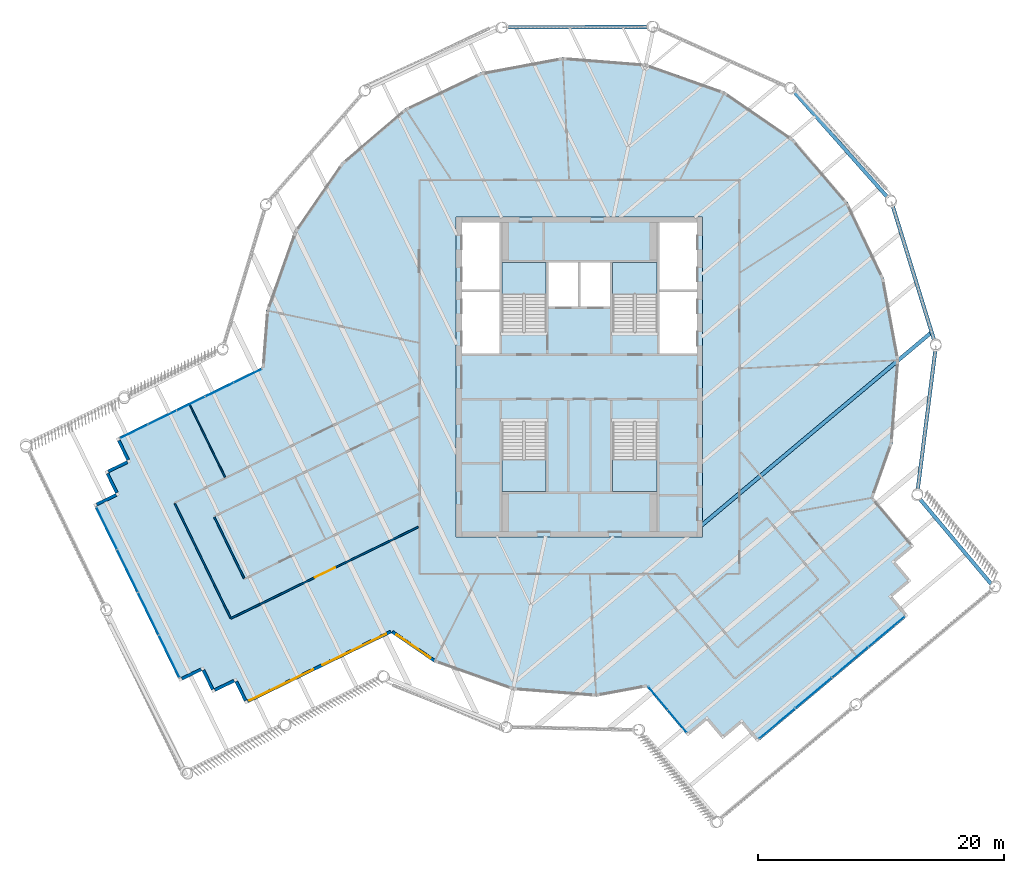
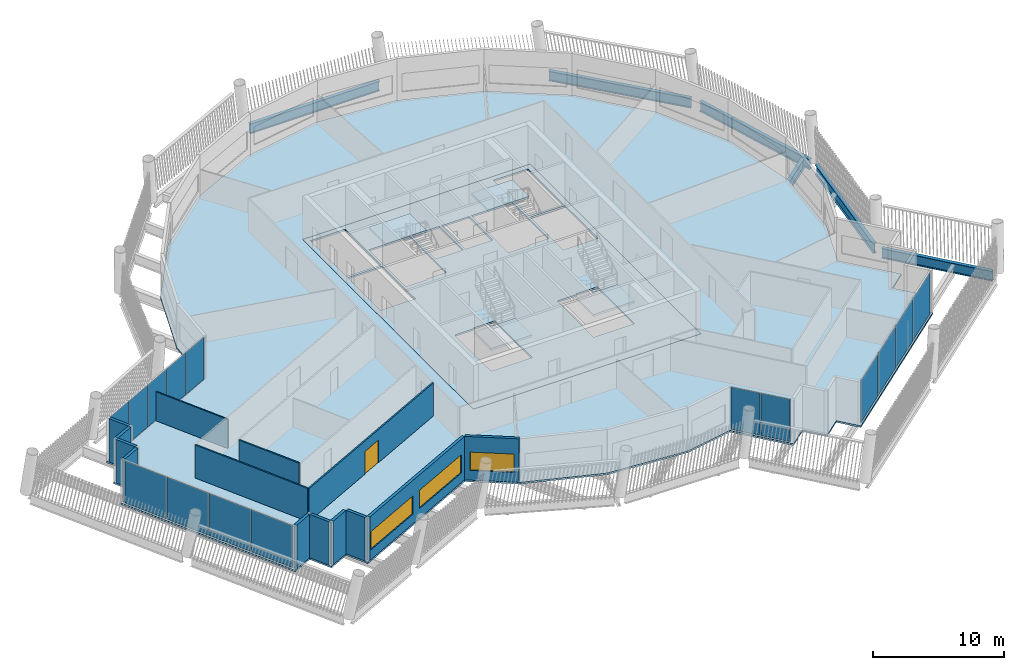
# One storey, part 19 of 31: 15 plates, 14 walls, 6 beams, 6 slabs, 3 windows, 1 door, 4 openings, 8 elements without a shape of their own.
"""IFC4 building model written with IfcOpenShell, lengths in metres."""

from ifc_helpers import new_model, si_unit, direction, frame, frame_2d, origin, origin_2d, place, context, subcontext, project, spatial, polyline, rectangle, i_section, outline, extrude, material, layer, layer_set, material_profile, profile_set, type_object, element, fill, aggregate, save


model = new_model("IFC4")

# Units and contexts
model_context = context("Model", 3, precision=1e-05, world=origin(), true_north=direction((0.0, 1.0)))
body_context = subcontext(model_context, "Body", "Model", "MODEL_VIEW")
ifc_project = project(units=[si_unit("LENGTHUNIT", "METRE"), si_unit("AREAUNIT", "SQUARE_METRE"), si_unit("VOLUMEUNIT", "CUBIC_METRE"), si_unit("PLANEANGLEUNIT", "RADIAN"), si_unit("MASSUNIT", "GRAM", prefix="KILO")], contexts=[model_context])

# Site, building, storey
site_placement = place(None, origin())
site = spatial("IfcSite", under=ifc_project, at=site_placement, CompositionType="ELEMENT")
building_placement = place(site_placement, origin())
building = spatial("IfcBuilding", under=site, at=building_placement, Name="Tarsis Ring Headquarters", CompositionType="ELEMENT")
storey_placement = place(building_placement, frame((0.0, 0.0, 390.199951171875)))
storey = spatial("IfcBuildingStorey", under=building, at=storey_placement, Name="L92", CompositionType="ELEMENT", Elevation=390.199951171875)

# Beams
ifc_material_1 = material(Name="Structural steel S355", Category="steel")
ifc_material_profile_1 = material_profile(ifc_material_1, i_section(OverallWidth=0.309814453125, OverallDepth=0.93212890625, WebThickness=0.02099609375, FlangeThickness=0.034423828125, at=origin_2d()), Name="W36x210")
ifc_profile_set_1 = profile_set([ifc_material_profile_1], Name="Structural steel S355")
beam_type_1 = type_object("IfcBeamType", Name="FB Floor beam W36x210", PredefinedType="JOIST", material=ifc_profile_set_1)
beam_1_placement = place(storey_placement, frame((9.92333984375, -12.03759765625, -0.6259765625), z_axis=(0.766048605263, 0.642782649404, 0.0), x_axis=(-0.642782649404, 0.766048605263, 0.0)))
element("IfcBeam", 1, at=beam_1_placement, inside=storey, type_object=beam_type_1, Name="Floor beam FB10", PredefinedType="JOIST", context=body_context, shape_type="SweptSolid", body=[
    extrude(i_section(OverallWidth=0.309814453125, OverallDepth=0.93212890625, WebThickness=0.02099609375, FlangeThickness=0.034423828125, at=origin_2d()), origin(), (0.0, 0.0, 1.0), 24.309814453125),
])
ifc_material_profile_2 = material_profile(ifc_material_1, i_section(OverallWidth=0.3046875, OverallDepth=0.91943359375, WebThickness=0.017333984375, FlangeThickness=0.02783203125, at=origin_2d()), Name="W36x170")
ifc_profile_set_2 = profile_set([ifc_material_profile_2], Name="Structural steel S355")
beam_type_2 = type_object("IfcBeamType", Name="XG Ring girder W36x170", PredefinedType="BEAM", material=ifc_profile_set_2)
beam_2_placement = place(storey_placement, frame((33.44189453125, -16.829833984375, -0.459716796875), z_axis=(-0.642792926225, 0.766039981982, 0.0), x_axis=(-0.766039981982, -0.642792926225, 0.0)))
element("IfcBeam", 2, at=beam_2_placement, inside=storey, type_object=beam_type_2, Name="Ring girder XG4", PredefinedType="BEAM", context=body_context, shape_type="SweptSolid", body=[
    extrude(i_section(OverallWidth=0.3046875, OverallDepth=0.91943359375, WebThickness=0.017333984375, FlangeThickness=0.02783203125, at=origin_2d()), origin(), (0.0, 0.0, 1.0), 8.9814453125),
])
for number, where, z_axis, x_axis, name in (
    (3, (27.455810546875, -9.22607421875, -0.459716796875), (0.125320627657, 0.99211629373, 0.0), (-0.99211629373, 0.125320627657, 0.0), "Ring girder XG4"),
    (4, (28.81787109375, 2.9111328125, -0.459716796875), (-0.294762947586, 0.955570408045, 0.0), (-0.955570408045, -0.294762947586, 0.0), "Ring girder XG4"),
    (5, (25.055908203125, 14.53076171875, -0.459716796875), (-0.662433253291, 0.74912094146, 0.0), (-0.74912094146, -0.662433253291, 0.0), "Ring girder XG4"),
    (6, (5.6279296875, 28.41259765625, -0.459716796875), (-0.999995525635, -0.002991439607, 0.0), (0.002991439607, -0.999995525635, 0.0), "Ring girder XG4"),
):
    element("IfcBeam", number, at=place(storey_placement, frame(where, z_axis=z_axis, x_axis=x_axis)), inside=storey, type_object=beam_type_2, Name=name, PredefinedType="BEAM", context=body_context, shape_type="SweptSolid", body=[
        extrude(i_section(OverallWidth=0.3046875, OverallDepth=0.91943359375, WebThickness=0.017333984375, FlangeThickness=0.02783203125, at=origin_2d()), origin(), (0.0, 0.0, 1.0), 11.42578125),
    ])

# Slab
ifc_material_2 = material(Name="Concrete C40/50", Category="concrete")
ifc_layer_1 = layer(ifc_material_2, 0.159912109375)
ifc_layer_set_1 = layer_set([ifc_layer_1], Name="Core floor slab 160 C40/50")
slab_type_1 = type_object("IfcSlabType", Name="Core floor slab 160 C40/50", PredefinedType="FLOOR", material=ifc_layer_set_1)
slab_1_placement = place(storey_placement, frame((0.0, 0.0, -0.159912109375)))
element("IfcSlab", 7, at=slab_1_placement, inside=storey, type_object=slab_type_1, Name="L92 core floor slab", PredefinedType="FLOOR", context=body_context, shape_type="SweptSolid", body=[
    extrude(outline(polyline([(-10.0, -13.0), (10.0, -13.0), (10.0, 13.0), (-10.0, 13.0), (-10.0, -13.0)]), holes=[polyline([(-2.5, 5.699951171875), (-0.10009765625, 5.699951171875), (-0.10009765625, 9.300048828125), (-2.5, 9.300048828125), (-2.5, 5.699951171875)]), polyline([(0.10009765625, 5.699951171875), (2.5, 5.699951171875), (2.5, 9.300048828125), (0.10009765625, 9.300048828125), (0.10009765625, 5.699951171875)]), polyline([(-9.550048828125, 1.89990234375), (-6.5, 1.89990234375), (-6.5, 6.89990234375), (-9.550048828125, 6.89990234375), (-9.550048828125, 1.89990234375)]), polyline([(-9.550048828125, 7.10009765625), (-6.5, 7.10009765625), (-6.5, 12.550048828125), (-9.550048828125, 12.550048828125), (-9.550048828125, 7.10009765625)]), polyline([(6.5, 1.89990234375), (9.550048828125, 1.89990234375), (9.550048828125, 6.89990234375), (6.5, 6.89990234375), (6.5, 1.89990234375)]), polyline([(6.5, 7.10009765625), (9.550048828125, 7.10009765625), (9.550048828125, 12.550048828125), (6.5, 12.550048828125), (6.5, 7.10009765625)]), polyline([(-2.699951171875, 3.760009765625), (-2.699951171875, 9.300048828125), (-6.300048828125, 9.300048828125), (-6.300048828125, 3.659912109375), (-4.4599609375, 3.659912109375), (-4.4599609375, 3.760009765625), (-2.699951171875, 3.760009765625)]), polyline([(6.300048828125, 3.760009765625), (6.300048828125, 9.300048828125), (2.699951171875, 9.300048828125), (2.699951171875, 3.659912109375), (4.5400390625, 3.659912109375), (4.5400390625, 3.760009765625), (6.300048828125, 3.760009765625)]), polyline([(-6.300048828125, -3.760009765625), (-6.300048828125, -9.300048828125), (-2.699951171875, -9.300048828125), (-2.699951171875, -3.659912109375), (-4.5400390625, -3.659912109375), (-4.5400390625, -3.760009765625), (-6.300048828125, -3.760009765625)]), polyline([(2.699951171875, -3.760009765625), (2.699951171875, -9.300048828125), (6.300048828125, -9.300048828125), (6.300048828125, -3.659912109375), (4.4599609375, -3.659912109375), (4.4599609375, -3.760009765625), (2.699951171875, -3.760009765625)])]), origin(), (0.0, 0.0, 1.0), 0.159912109375),
])

# Stair, slab
ifc_material_3 = material(Name="Core stair 1760")
stair_type = type_object("IfcStairType", Name="Core stair 1760", PredefinedType="HALF_TURN_STAIR", material=ifc_material_3)
stair_1_placement = place(storey_placement, origin())
stair_1 = element("IfcStair", 8, at=stair_1_placement, inside=storey, type_object=stair_type, Name="L92 Firefighting stair", PredefinedType="HALF_TURN_STAIR")
ifc_layer_2 = layer(ifc_material_2, 0.199951171875)
ifc_layer_set_2 = layer_set([ifc_layer_2], Name="Core stair landing 200")
slab_type_2 = type_object("IfcSlabType", Name="Core stair landing 200", PredefinedType="LANDING", material=ifc_layer_set_2)
slab_2_placement = place(storey_placement, frame((0.0, 0.0, 1.900146484375)))
slab_2 = element("IfcSlab", 9, at=slab_2_placement, type_object=slab_type_2, Name="Stair ST1 landing 1", PredefinedType="LANDING", context=body_context, shape_type="SweptSolid", body=[
    extrude(outline(polyline([(-2.699951171875, 6.739990234375), (-2.699951171875, 9.300048828125), (-6.300048828125, 9.300048828125), (-6.300048828125, 6.739990234375), (-2.699951171875, 6.739990234375)])), origin(), (0.0, 0.0, 1.0), 0.199951171875),
])
aggregate(stair_1, [slab_2])

stair_2_placement = place(storey_placement, origin())
stair_2 = element("IfcStair", 10, at=stair_2_placement, inside=storey, type_object=stair_type, Name="L92 Exit stair B", PredefinedType="HALF_TURN_STAIR")
slab_3_placement = place(storey_placement, frame((0.0, 0.0, 1.900146484375)))
slab_3 = element("IfcSlab", 11, at=slab_3_placement, type_object=slab_type_2, Name="Stair ST2 landing 1", PredefinedType="LANDING", context=body_context, shape_type="SweptSolid", body=[
    extrude(outline(polyline([(6.300048828125, 6.739990234375), (6.300048828125, 9.300048828125), (2.699951171875, 9.300048828125), (2.699951171875, 6.739990234375), (6.300048828125, 6.739990234375)])), origin(), (0.0, 0.0, 1.0), 0.199951171875),
])
aggregate(stair_2, [slab_3])

stair_3_placement = place(storey_placement, origin())
stair_3 = element("IfcStair", 12, at=stair_3_placement, inside=storey, type_object=stair_type, Name="L92 Exit stair C", PredefinedType="HALF_TURN_STAIR")
slab_4_placement = place(storey_placement, frame((0.0, 0.0, 1.900146484375)))
slab_4 = element("IfcSlab", 13, at=slab_4_placement, type_object=slab_type_2, Name="Stair ST3 landing 1", PredefinedType="LANDING", context=body_context, shape_type="SweptSolid", body=[
    extrude(outline(polyline([(-6.300048828125, -6.739990234375), (-6.300048828125, -9.300048828125), (-2.699951171875, -9.300048828125), (-2.699951171875, -6.739990234375), (-6.300048828125, -6.739990234375)])), origin(), (0.0, 0.0, 1.0), 0.199951171875),
])
aggregate(stair_3, [slab_4])

stair_4_placement = place(storey_placement, origin())
stair_4 = element("IfcStair", 14, at=stair_4_placement, inside=storey, type_object=stair_type, Name="L92 Exit stair D", PredefinedType="HALF_TURN_STAIR")
slab_5_placement = place(storey_placement, frame((0.0, 0.0, 1.900146484375)))
slab_5 = element("IfcSlab", 15, at=slab_5_placement, type_object=slab_type_2, Name="Stair ST4 landing 1", PredefinedType="LANDING", context=body_context, shape_type="SweptSolid", body=[
    extrude(outline(polyline([(2.699951171875, -6.739990234375), (2.699951171875, -9.300048828125), (6.300048828125, -9.300048828125), (6.300048828125, -6.739990234375), (2.699951171875, -6.739990234375)])), origin(), (0.0, 0.0, 1.0), 0.199951171875),
])
aggregate(stair_4, [slab_5])

# Curtain wall, plates
ifc_material_4 = material(Name="Aluminium curtain wall", Category="aluminium")
ifc_layer_3 = layer(ifc_material_4, 0.199951171875)
ifc_layer_set_3 = layer_set([ifc_layer_3], Name="Curtain wall executive tip")
curtain_wall_type_1 = type_object("IfcCurtainWallType", Name="Curtain wall executive tip", PredefinedType="NOTDEFINED", material=ifc_layer_set_3)
curtain_wall_1_placement = place(storey_placement, origin())
curtain_wall_1 = element("IfcCurtainWall", 16, at=curtain_wall_1_placement, inside=storey, type_object=curtain_wall_type_1, Name="Curtain wall L92-11", PredefinedType="NOTDEFINED")
ifc_material_5 = material(Name="Clear double glazing", Category="glass")
ifc_layer_4 = layer(ifc_material_5, 0.028076171875)
ifc_layer_set_4 = layer_set([ifc_layer_4], Name="Curtain wall glass panel executive tip")
plate_type_1 = type_object("IfcPlateType", Name="Curtain wall glass panel executive tip", PredefinedType="CURTAIN_PANEL", material=ifc_layer_set_4)
plate_1_placement = place(storey_placement, frame((16.049560546875, -28.142578125, 0.070068359375), z_axis=(0.0, 0.0, 1.0), x_axis=(0.766044386621, 0.642787677018, 0.0)))
plate_1 = element("IfcPlate", 17, at=plate_1_placement, type_object=plate_type_1, Name="CW-E panel 1.1", PredefinedType="CURTAIN_PANEL", context=body_context, shape_type="SweptSolid", body=[
    extrude(rectangle(XDim=3.77001953125, YDim=0.028076171875, at=origin_2d()), origin(), (0.0, 0.0, 1.0), 3.89990234375),
])
plate_2_placement = place(storey_placement, frame((19.004638671875, -25.6630859375, 0.070068359375), z_axis=(0.0, 0.0, 1.0), x_axis=(0.766044386621, 0.642787677018, 0.0)))
plate_2 = element("IfcPlate", 18, at=plate_2_placement, type_object=plate_type_1, Name="CW-E panel 2.1", PredefinedType="CURTAIN_PANEL", context=body_context, shape_type="SweptSolid", body=[
    extrude(rectangle(XDim=3.804931640625, YDim=0.028076171875, at=origin_2d()), origin(), (0.0, 0.0, 1.0), 3.89990234375),
])
plate_3_placement = place(storey_placement, frame((21.97314453125, -23.17236328125, 0.070068359375), z_axis=(0.0, 0.0, 1.0), x_axis=(0.766044386621, 0.642787677018, 0.0)))
plate_3 = element("IfcPlate", 19, at=plate_3_placement, type_object=plate_type_1, Name="CW-E panel 3.1", PredefinedType="CURTAIN_PANEL", context=body_context, shape_type="SweptSolid", body=[
    extrude(rectangle(XDim=3.804931640625, YDim=0.028076171875, at=origin_2d()), origin(), (0.0, 0.0, 1.0), 3.89990234375),
])
plate_4_placement = place(storey_placement, frame((24.927978515625, -20.692626953125, 0.070068359375), z_axis=(0.0, 0.0, 1.0), x_axis=(0.766044386621, 0.642787677018, 0.0)))
plate_4 = element("IfcPlate", 20, at=plate_4_placement, type_object=plate_type_1, Name="CW-E panel 4.1", PredefinedType="CURTAIN_PANEL", context=body_context, shape_type="SweptSolid", body=[
    extrude(rectangle(XDim=3.77001953125, YDim=0.028076171875, at=origin_2d()), origin(), (0.0, 0.0, 1.0), 3.89990234375),
])
aggregate(curtain_wall_1, [plate_1, plate_2, plate_3, plate_4])

curtain_wall_2_placement = place(storey_placement, origin())
curtain_wall_2 = element("IfcCurtainWall", 21, at=curtain_wall_2_placement, inside=storey, type_object=curtain_wall_type_1, Name="Curtain wall L92-36", PredefinedType="NOTDEFINED")
plate_5_placement = place(storey_placement, frame((-38.3798828125, -12.271484375, 0.070068359375), z_axis=(0.0, 0.0, 1.0), x_axis=(0.438371176751, -0.898794031686, 0.0)))
plate_5 = element("IfcPlate", 22, at=plate_5_placement, type_object=plate_type_1, Name="CW-E panel 1.1", PredefinedType="CURTAIN_PANEL", context=body_context, shape_type="SweptSolid", body=[
    extrude(rectangle(XDim=3.77001953125, YDim=0.028076171875, at=origin_2d()), origin(), (0.0, 0.0, 1.0), 3.89990234375),
])
plate_6_placement = place(storey_placement, frame((-36.688720703125, -15.738525390625, 0.070068359375), z_axis=(0.0, 0.0, 1.0), x_axis=(0.438371176751, -0.898794031686, 0.0)))
plate_6 = element("IfcPlate", 23, at=plate_6_placement, type_object=plate_type_1, Name="CW-E panel 2.1", PredefinedType="CURTAIN_PANEL", context=body_context, shape_type="SweptSolid", body=[
    extrude(rectangle(XDim=3.804931640625, YDim=0.028076171875, at=origin_2d()), origin(), (0.0, 0.0, 1.0), 3.89990234375),
])
plate_7_placement = place(storey_placement, frame((-34.989990234375, -19.221435546875, 0.070068359375), z_axis=(0.0, 0.0, 1.0), x_axis=(0.438371176751, -0.898794031686, 0.0)))
plate_7 = element("IfcPlate", 24, at=plate_7_placement, type_object=plate_type_1, Name="CW-E panel 3.1", PredefinedType="CURTAIN_PANEL", context=body_context, shape_type="SweptSolid", body=[
    extrude(rectangle(XDim=3.804931640625, YDim=0.028076171875, at=origin_2d()), origin(), (0.0, 0.0, 1.0), 3.89990234375),
])
plate_8_placement = place(storey_placement, frame((-33.299072265625, -22.6884765625, 0.070068359375), z_axis=(0.0, 0.0, 1.0), x_axis=(0.438371176751, -0.898794031686, 0.0)))
plate_8 = element("IfcPlate", 25, at=plate_8_placement, type_object=plate_type_1, Name="CW-E panel 4.1", PredefinedType="CURTAIN_PANEL", context=body_context, shape_type="SweptSolid", body=[
    extrude(rectangle(XDim=3.77001953125, YDim=0.028076171875, at=origin_2d()), origin(), (0.0, 0.0, 1.0), 3.89990234375),
])
aggregate(curtain_wall_2, [plate_5, plate_6, plate_7, plate_8])

ifc_layer_5 = layer(ifc_material_4, 0.14990234375)
ifc_layer_set_5 = layer_set([ifc_layer_5], Name="Curtain wall tower unit")
curtain_wall_type_2 = type_object("IfcCurtainWallType", Name="Curtain wall tower unit", PredefinedType="NOTDEFINED", material=ifc_layer_set_5)
curtain_wall_3_placement = place(storey_placement, origin())
curtain_wall_3 = element("IfcCurtainWall", 26, at=curtain_wall_3_placement, inside=storey, type_object=curtain_wall_type_2, Name="Curtain wall L92-06", PredefinedType="NOTDEFINED")
ifc_layer_6 = layer(ifc_material_5, 0.028076171875)
ifc_layer_set_6 = layer_set([ifc_layer_6], Name="Curtain wall glass panel tower unit")
plate_type_2 = type_object("IfcPlateType", Name="Curtain wall glass panel tower unit", PredefinedType="CURTAIN_PANEL", material=ifc_layer_set_6)
plate_9_placement = place(storey_placement, frame((6.37744140625, -26.074462890625, 0.06005859375), z_axis=(0.0, 0.0, 1.0), x_axis=(0.642787653808, -0.766044406097, 0.0)))
plate_9 = element("IfcPlate", 27, at=plate_9_placement, type_object=plate_type_2, Name="CW-T panel 1.1", PredefinedType="CURTAIN_PANEL", context=body_context, shape_type="SweptSolid", body=[
    extrude(rectangle(XDim=2.37109375, YDim=0.028076171875, at=origin_2d()), origin(), (0.0, 0.0, 1.0), 3.919921875),
])
plate_10_placement = place(storey_placement, frame((7.93994140625, -27.936767578125, 0.06005859375), z_axis=(0.0, 0.0, 1.0), x_axis=(0.642787653808, -0.766044406097, 0.0)))
plate_10 = element("IfcPlate", 28, at=plate_10_placement, type_object=plate_type_2, Name="CW-T panel 2.1", PredefinedType="CURTAIN_PANEL", context=body_context, shape_type="SweptSolid", body=[
    extrude(rectangle(XDim=2.37109375, YDim=0.028076171875, at=origin_2d()), origin(), (0.0, 0.0, 1.0), 3.919921875),
])
aggregate(curtain_wall_3, [plate_9, plate_10])

curtain_wall_4_placement = place(storey_placement, origin())
curtain_wall_4 = element("IfcCurtainWall", 29, at=curtain_wall_4_placement, inside=storey, type_object=curtain_wall_type_2, Name="Curtain wall L92-31", PredefinedType="NOTDEFINED")
plate_11_placement = place(storey_placement, frame((-26.9150390625, 0.084716796875, 0.06005859375), z_axis=(0.0, 0.0, 1.0), x_axis=(-0.898794041923, -0.438371155762, 0.0)))
plate_11 = element("IfcPlate", 30, at=plate_11_placement, type_object=plate_type_2, Name="CW-T panel 1.1", PredefinedType="CURTAIN_PANEL", context=body_context, shape_type="SweptSolid", body=[
    extrude(rectangle(XDim=2.490234375, YDim=0.028076171875, at=origin_2d()), origin(), (0.0, 0.0, 1.0), 3.919921875),
])
plate_12_placement = place(storey_placement, frame((-29.220703125, -1.039794921875, 0.06005859375), z_axis=(0.0, 0.0, 1.0), x_axis=(-0.898794041923, -0.438371155762, 0.0)))
plate_12 = element("IfcPlate", 31, at=plate_12_placement, type_object=plate_type_2, Name="CW-T panel 2.1", PredefinedType="CURTAIN_PANEL", context=body_context, shape_type="SweptSolid", body=[
    extrude(rectangle(XDim=2.520263671875, YDim=0.028076171875, at=origin_2d()), origin(), (0.0, 0.0, 1.0), 3.919921875),
])
plate_13_placement = place(storey_placement, frame((-31.539794921875, -2.1708984375, 0.06005859375), z_axis=(0.0, 0.0, 1.0), x_axis=(-0.898794041923, -0.438371155762, 0.0)))
plate_13 = element("IfcPlate", 32, at=plate_13_placement, type_object=plate_type_2, Name="CW-T panel 3.1", PredefinedType="CURTAIN_PANEL", context=body_context, shape_type="SweptSolid", body=[
    extrude(rectangle(XDim=2.520263671875, YDim=0.028076171875, at=origin_2d()), origin(), (0.0, 0.0, 1.0), 3.919921875),
])
plate_14_placement = place(storey_placement, frame((-33.85888671875, -3.302001953125, 0.06005859375), z_axis=(0.0, 0.0, 1.0), x_axis=(-0.898794041923, -0.438371155762, 0.0)))
plate_14 = element("IfcPlate", 33, at=plate_14_placement, type_object=plate_type_2, Name="CW-T panel 4.1", PredefinedType="CURTAIN_PANEL", context=body_context, shape_type="SweptSolid", body=[
    extrude(rectangle(XDim=2.520263671875, YDim=0.028076171875, at=origin_2d()), origin(), (0.0, 0.0, 1.0), 3.919921875),
])
plate_15_placement = place(storey_placement, frame((-36.16455078125, -4.426513671875, 0.06005859375), z_axis=(0.0, 0.0, 1.0), x_axis=(-0.898794041923, -0.438371155762, 0.0)))
plate_15 = element("IfcPlate", 34, at=plate_15_placement, type_object=plate_type_2, Name="CW-T panel 5.1", PredefinedType="CURTAIN_PANEL", context=body_context, shape_type="SweptSolid", body=[
    extrude(rectangle(XDim=2.490234375, YDim=0.028076171875, at=origin_2d()), origin(), (0.0, 0.0, 1.0), 3.919921875),
])
aggregate(curtain_wall_4, [plate_11, plate_12, plate_13, plate_14, plate_15])

# Slab
ifc_material_6 = material(Name="Concrete C35/45", Category="concrete")
ifc_layer_7 = layer(ifc_material_6, 0.159912109375)
ifc_layer_set_7 = layer_set([ifc_layer_7], Name="FS Composite floor slab 160")
slab_type_3 = type_object("IfcSlabType", Name="FS Composite floor slab 160", PredefinedType="FLOOR", material=ifc_layer_set_7)
slab_6_placement = place(storey_placement, frame((0.0, 0.0, -0.159912109375)))
element("IfcSlab", 35, at=slab_6_placement, inside=storey, type_object=slab_type_3, Name="Floor slab L92", PredefinedType="FLOOR", context=body_context, shape_type="SweptSolid", body=[
    extrude(outline(polyline([(-15.25732421875, -20.792724609375), (-11.8037109375, -23.166259765625), (-5.40576171875, -25.431884765625), (1.36083984375, -25.96435546875), (5.48095703125, -25.20068359375), (8.805419921875, -29.16259765625), (10.337646484375, -27.877197265625), (11.623291015625, -29.4091796875), (13.1552734375, -28.12353515625), (14.44091796875, -29.65576171875), (26.697509765625, -19.37109375), (25.411865234375, -17.839111328125), (26.944091796875, -16.553466796875), (25.658447265625, -15.021484375), (27.190673828125, -13.73583984375), (23.87939453125, -9.78955078125), (25.431884765625, -5.40576171875), (25.96435546875, 1.36083984375), (24.7275390625, 8.034423828125), (21.805419921875, 14.16064453125), (17.3974609375, 19.32177734375), (11.8037109375, 23.166259765625), (5.40576171875, 25.431884765625), (-1.36083984375, 25.96435546875), (-8.034423828125, 24.7275390625), (-14.16064453125, 21.805419921875), (-19.32177734375, 17.3974609375), (-23.166259765625, 11.8037109375), (-25.431884765625, 5.40576171875), (-25.796630859375, 0.769287109375), (-37.616943359375, -4.995849609375), (-36.740234375, -6.79345703125), (-38.537841796875, -7.670166015625), (-37.6611328125, -9.4677734375), (-39.458740234375, -10.344482421875), (-32.44482421875, -24.72509765625), (-30.647216796875, -23.848388671875), (-29.7705078125, -25.64599609375), (-27.972900390625, -24.769287109375), (-27.09619140625, -26.56689453125), (-15.25732421875, -20.792724609375)]), holes=[polyline([(-10.0, -13.0), (-10.0, 13.0), (10.0, 13.0), (10.0, -13.0), (-10.0, -13.0)])]), origin(), (0.0, 0.0, 1.0), 0.159912109375),
])

# Wall
ifc_material_7 = material(Name="Gypsum board on steel studs", Category="steel")
ifc_layer_8 = layer(ifc_material_7, 0.10009765625)
ifc_layer_set_8 = layer_set([ifc_layer_8], Name="FL partition 100 unrated")
wall_type_1 = type_object("IfcWallType", Name="FL partition 100 unrated", PredefinedType="PARTITIONING", material=ifc_layer_set_8)
wall_1_placement = place(storey_placement, frame((-31.68115234375, -2.15625, 0.0), z_axis=(0.0, 0.0, 1.0), x_axis=(0.438379576307, -0.8987899349, 0.0)))
element("IfcWall", 36, at=wall_1_placement, inside=storey, type_object=wall_type_1, Name="Partition PW3", PredefinedType="PARTITIONING", context=body_context, shape_type="SweptSolid", body=[
    extrude(rectangle(XDim=6.66015625, YDim=0.10009765625, at=frame_2d((3.330078125, 0.0))), origin(), (0.0, 0.0, 1.0), 2.699951171875),
])

# Wall, opening, door
ifc_layer_9 = layer(ifc_material_7, 0.125)
ifc_layer_set_9 = layer_set([ifc_layer_9], Name="FL partition 125 EI 60 H3070")
wall_type_2 = type_object("IfcWallType", Name="FL partition 125 EI 60 H3070", PredefinedType="PARTITIONING", material=ifc_layer_set_9)
wall_2_placement = place(storey_placement, frame((-28.297607421875, -19.609619140625, 0.0), z_axis=(0.0, 0.0, 1.0), x_axis=(0.898790618964, 0.438378173798, 0.0)))
wall_2 = element("IfcWall", 37, at=wall_2_placement, inside=storey, type_object=wall_type_2, Name="Partition PW1H307", PredefinedType="PARTITIONING", context=body_context, shape_type="SweptSolid", body=[
    extrude(rectangle(XDim=16.930419921875, YDim=0.125, at=frame_2d((8.46533203125, 0.0))), origin(), (0.0, 0.0, 1.0), 3.070068359375),
])
opening_1_placement = place(wall_2_placement, frame((7.610107421875, 0.0, 0.0)))
opening_1 = element("IfcOpeningElement", 38, at=opening_1_placement, cuts=wall_2, Name="Opening D92.01", PredefinedType="OPENING", context=body_context, shape_type="SweptSolid", body=[
    extrude(rectangle(XDim=1.800048828125, YDim=2.10009765625, at=frame_2d((0.89990234375, 1.050048828125))), frame((0.0, 0.072509765625, 0.0), z_axis=(0.0, -1.0, 0.0), x_axis=(1.0, 0.0, 0.0)), (0.0, 0.0, 1.0), 0.14501953125),
])
ifc_material_8 = material(Name="Fire-rated timber door leaf in steel frame", Category="steel")
door_type = type_object("IfcDoorType", Name="FL door FD60-1800", OperationType="DOUBLE_DOOR_SINGLE_SWING", PredefinedType="DOOR", material=ifc_material_8)
door_placement = place(opening_1_placement, origin())
door = element("IfcDoor", 39, at=door_placement, inside=storey, type_object=door_type, Name="Door D92.01", OperationType="DOUBLE_DOOR_SINGLE_SWING", OverallHeight=2.10009765625, OverallWidth=1.800048828125, PredefinedType="DOOR", context=body_context, shape_type="SweptSolid", body=[
    extrude(rectangle(XDim=1.800048828125, YDim=2.10009765625, at=frame_2d((0.89990234375, 1.050048828125))), frame((0.0, 0.02490234375, 0.0), z_axis=(0.0, -1.0, 0.0), x_axis=(1.0, 0.0, 0.0)), (0.0, 0.0, 1.0), 0.050048828125),
])
fill(opening_1, door)

# Walls
wall_3_placement = place(storey_placement, frame((-32.847900390625, -10.280029296875, 0.0), z_axis=(0.0, 0.0, 1.0), x_axis=(0.438372360259, -0.898793454449, 0.0)))
element("IfcWall", 40, at=wall_3_placement, inside=storey, type_object=wall_type_2, Name="Partition PW1H307", PredefinedType="PARTITIONING", context=body_context, shape_type="SweptSolid", body=[
    extrude(rectangle(XDim=10.31982421875, YDim=0.125, at=frame_2d((5.159912109375, 0.0))), origin(), (0.0, 0.0, 1.0), 3.070068359375),
])
wall_4_placement = place(storey_placement, frame((-29.638916015625, -11.385009765625, 0.0), z_axis=(0.0, 0.0, 1.0), x_axis=(0.438381805748, -0.898788847499, 0.0)))
element("IfcWall", 41, at=wall_4_placement, inside=storey, type_object=wall_type_2, Name="Partition PW1H307", PredefinedType="PARTITIONING", context=body_context, shape_type="SweptSolid", body=[
    extrude(rectangle(XDim=5.52001953125, YDim=0.125, at=frame_2d((2.760009765625, 0.0))), origin(), (0.0, 0.0, 1.0), 3.070068359375),
])

# Wall, openings, windows
ifc_material_9 = material(Name="Terracotta clad insulated panel wall", Category="masonry")
ifc_layer_10 = layer(ifc_material_9, 0.25)
ifc_layer_set_10 = layer_set([ifc_layer_10], Name="Facade wall terracotta panel 250")
wall_type_3 = type_object("IfcWallType", Name="Facade wall terracotta panel 250", PredefinedType="STANDARD", material=ifc_layer_set_10)
wall_5_placement = place(storey_placement, frame((-26.92626953125, -26.344970703125, 0.0), z_axis=(0.0, 0.0, 1.0), x_axis=(0.898797133371, 0.438364817297, 0.0)))
wall_5 = element("IfcWall", 42, at=wall_5_placement, inside=storey, type_object=wall_type_3, Name="External wall L92-01", PredefinedType="STANDARD", context=body_context, shape_type="SweptSolid", body=[
    extrude(rectangle(XDim=12.922119140625, YDim=0.25, at=frame_2d((6.4609375, 0.0))), origin(), (0.0, 0.0, 1.0), 4.0400390625),
])
opening_2_placement = place(wall_5_placement, frame((0.16796875, 0.0, 0.89990234375)))
opening_2 = element("IfcOpeningElement", 43, at=opening_2_placement, cuts=wall_5, Name="Opening WN06", PredefinedType="OPENING", context=body_context, shape_type="SweptSolid", body=[
    extrude(rectangle(XDim=5.75, YDim=1.699951171875, at=frame_2d((2.875, 0.85009765625))), frame((0.0, 0.135009765625, 0.0), z_axis=(0.0, -1.0, 0.0), x_axis=(1.0, 0.0, 0.0)), (0.0, 0.0, 1.0), 0.27001953125),
])
opening_3_placement = place(wall_5_placement, frame((6.75390625, 0.0, 0.89990234375)))
opening_3 = element("IfcOpeningElement", 44, at=opening_3_placement, cuts=wall_5, Name="Opening WN06", PredefinedType="OPENING", context=body_context, shape_type="SweptSolid", body=[
    extrude(rectangle(XDim=5.75, YDim=1.699951171875, at=frame_2d((2.875, 0.85009765625))), frame((0.0, 0.135009765625, 0.0), z_axis=(0.0, -1.0, 0.0), x_axis=(1.0, 0.0, 0.0)), (0.0, 0.0, 1.0), 0.27001953125),
])
ifc_material_10 = material(Name="Aluminium framed double glazing", Category="aluminium")
window_type_1 = type_object("IfcWindowType", Name="Facade window 5750 x 1700", PartitioningType="SINGLE_PANEL", PredefinedType="WINDOW", material=ifc_material_10)
window_1_placement = place(opening_2_placement, origin())
window_1 = element("IfcWindow", 45, at=window_1_placement, inside=storey, type_object=window_type_1, Name="Window L92-01.1", OverallHeight=1.699951171875, OverallWidth=5.75, PartitioningType="SINGLE_PANEL", PredefinedType="WINDOW", context=body_context, shape_type="SweptSolid", body=[
    extrude(rectangle(XDim=5.75, YDim=1.699951171875, at=frame_2d((2.875, 0.85009765625))), frame((0.0, 0.030029296875, 0.0), z_axis=(0.0, -1.0, 0.0), x_axis=(1.0, 0.0, 0.0)), (0.0, 0.0, 1.0), 0.06005859375),
])
fill(opening_2, window_1)
window_2_placement = place(opening_3_placement, origin())
window_2 = element("IfcWindow", 46, at=window_2_placement, inside=storey, type_object=window_type_1, Name="Window L92-01.2", OverallHeight=1.699951171875, OverallWidth=5.75, PartitioningType="SINGLE_PANEL", PredefinedType="WINDOW", context=body_context, shape_type="SweptSolid", body=[
    extrude(rectangle(XDim=5.75, YDim=1.699951171875, at=frame_2d((2.875, 0.85009765625))), frame((0.0, 0.030029296875, 0.0), z_axis=(0.0, -1.0, 0.0), x_axis=(1.0, 0.0, 0.0)), (0.0, 0.0, 1.0), 0.06005859375),
])
fill(opening_3, window_2)

# Wall, opening, window
wall_6_placement = place(storey_placement, frame((-15.1865234375, -20.689697265625, 0.0), z_axis=(0.0, 0.0, 1.0), x_axis=(0.824153276237, -0.566366822181, 0.0)))
wall_6 = element("IfcWall", 47, at=wall_6_placement, inside=storey, type_object=wall_type_3, Name="External wall L92-02", PredefinedType="STANDARD", context=body_context, shape_type="SweptSolid", body=[
    extrude(rectangle(XDim=4.15771484375, YDim=0.25, at=frame_2d((2.078857421875, 0.0))), origin(), (0.0, 0.0, 1.0), 4.0400390625),
])
opening_4_placement = place(wall_6_placement, frame((0.420166015625, 0.0, 0.89990234375)))
opening_4 = element("IfcOpeningElement", 48, at=opening_4_placement, cuts=wall_6, Name="Opening WN01", PredefinedType="OPENING", context=body_context, shape_type="SweptSolid", body=[
    extrude(rectangle(XDim=3.35009765625, YDim=1.699951171875, at=frame_2d((1.675048828125, 0.85009765625))), frame((0.0, 0.135009765625, 0.0), z_axis=(0.0, -1.0, 0.0), x_axis=(1.0, 0.0, 0.0)), (0.0, 0.0, 1.0), 0.27001953125),
])
window_type_2 = type_object("IfcWindowType", Name="Facade window 3350 x 1700", PartitioningType="SINGLE_PANEL", PredefinedType="WINDOW", material=ifc_material_10)
window_3_placement = place(opening_4_placement, origin())
window_3 = element("IfcWindow", 49, at=window_3_placement, inside=storey, type_object=window_type_2, Name="Window L92-02.1", OverallHeight=1.699951171875, OverallWidth=3.35009765625, PartitioningType="SINGLE_PANEL", PredefinedType="WINDOW", context=body_context, shape_type="SweptSolid", body=[
    extrude(rectangle(XDim=3.35009765625, YDim=1.699951171875, at=frame_2d((1.675048828125, 0.85009765625))), frame((0.0, 0.030029296875, 0.0), z_axis=(0.0, -1.0, 0.0), x_axis=(1.0, 0.0, 0.0)), (0.0, 0.0, 1.0), 0.06005859375),
])
fill(opening_4, window_3)

# Walls
for number, where, z_axis, x_axis, name in (
    (50, (-37.39501953125, -5.165771484375, 0.0), (0.0, 0.0, 1.0), (0.438374152115, -0.898792580498, 0.0), "External wall L92-32"),
    (51, (-36.685546875, -6.90576171875, 0.0), (0.0, 0.0, 1.0), (-0.898792580498, -0.438374152115, 0.0), "External wall L92-33"),
    (52, (-38.31591796875, -7.840087890625, 0.0), (0.0, 0.0, 1.0), (0.438374152115, -0.898792580498, 0.0), "External wall L92-34"),
    (53, (-37.6064453125, -9.580078125, 0.0), (0.0, 0.0, 1.0), (-0.898792580498, -0.438374152115, 0.0), "External wall L92-35"),
):
    element("IfcWall", number, at=place(storey_placement, frame(where, z_axis=z_axis, x_axis=x_axis)), inside=storey, type_object=wall_type_3, Name=name, PredefinedType="STANDARD", context=body_context, shape_type="SweptSolid", body=[
        extrude(rectangle(XDim=1.749755859375, YDim=0.25, at=frame_2d((0.875, 0.0))), origin(), (0.0, 0.0, 1.0), 4.0400390625),
    ])
wall_7_placement = place(storey_placement, frame((-32.27490234375, -24.503173828125, 0.0), z_axis=(0.0, 0.0, 1.0), x_axis=(0.89881938742, 0.438319185981, 0.0)))
element("IfcWall", 54, at=wall_7_placement, inside=storey, type_object=wall_type_3, Name="External wall L92-37", PredefinedType="STANDARD", context=body_context, shape_type="SweptSolid", body=[
    extrude(rectangle(XDim=1.75, YDim=0.25, at=frame_2d((0.875, 0.0))), origin(), (0.0, 0.0, 1.0), 4.0400390625),
])
wall_8_placement = place(storey_placement, frame((-30.534912109375, -23.793701171875, 0.0), z_axis=(0.0, 0.0, 1.0), x_axis=(0.438374152115, -0.898792580498, 0.0)))
element("IfcWall", 55, at=wall_8_placement, inside=storey, type_object=wall_type_3, Name="External wall L92-38", PredefinedType="STANDARD", context=body_context, shape_type="SweptSolid", body=[
    extrude(rectangle(XDim=1.749755859375, YDim=0.25, at=frame_2d((0.875, 0.0))), origin(), (0.0, 0.0, 1.0), 4.0400390625),
])
for number, where, z_axis, x_axis, name in (
    (56, (-29.6005859375, -25.424072265625, 0.0), (0.0, 0.0, 1.0), (0.89881938742, 0.438319185981, 0.0), "External wall L92-39"),
    (57, (-27.860595703125, -24.714599609375, 0.0), (0.0, 0.0, 1.0), (0.438486850546, -0.898737604587, 0.0), "External wall L92-40"),
):
    element("IfcWall", number, at=place(storey_placement, frame(where, z_axis=z_axis, x_axis=x_axis)), inside=storey, type_object=wall_type_3, Name=name, PredefinedType="STANDARD", context=body_context, shape_type="SweptSolid", body=[
        extrude(rectangle(XDim=1.75, YDim=0.25, at=frame_2d((0.875, 0.0))), origin(), (0.0, 0.0, 1.0), 4.0400390625),
    ])

save(model, "model.ifc")
